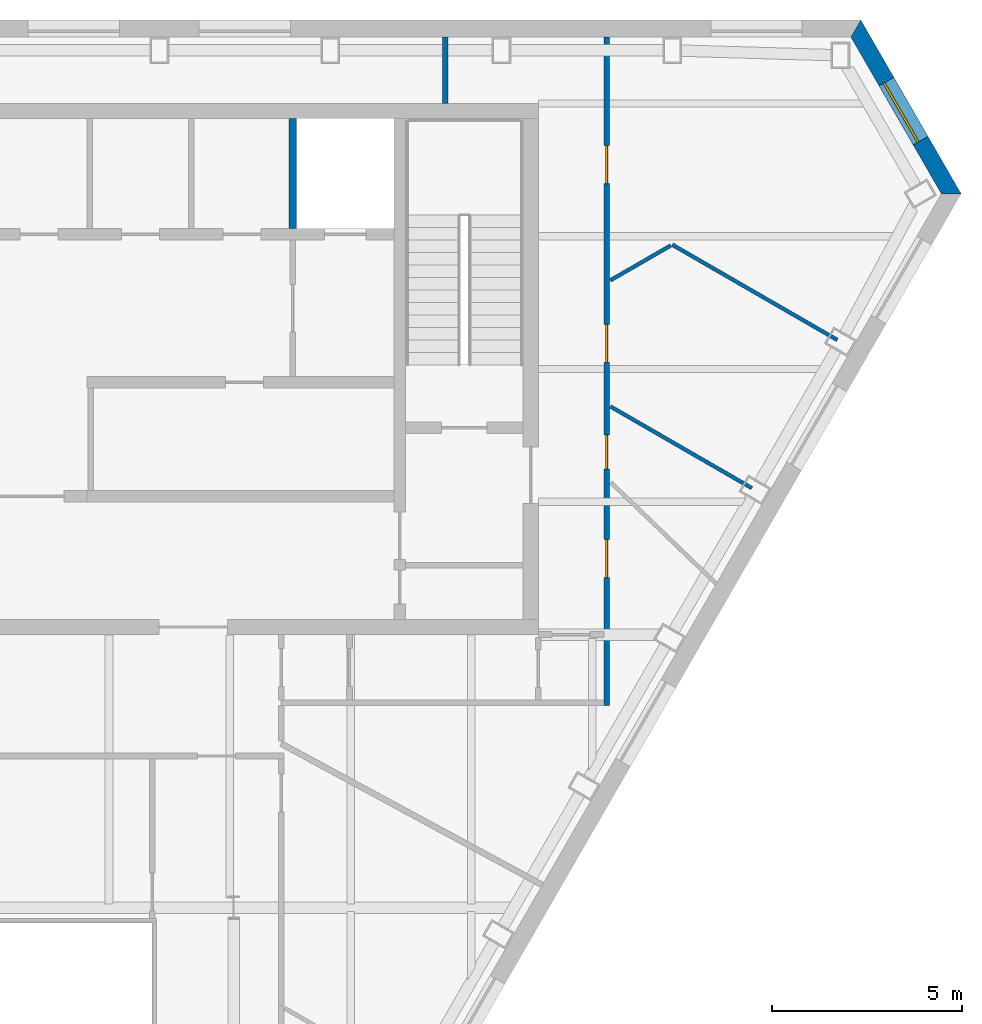
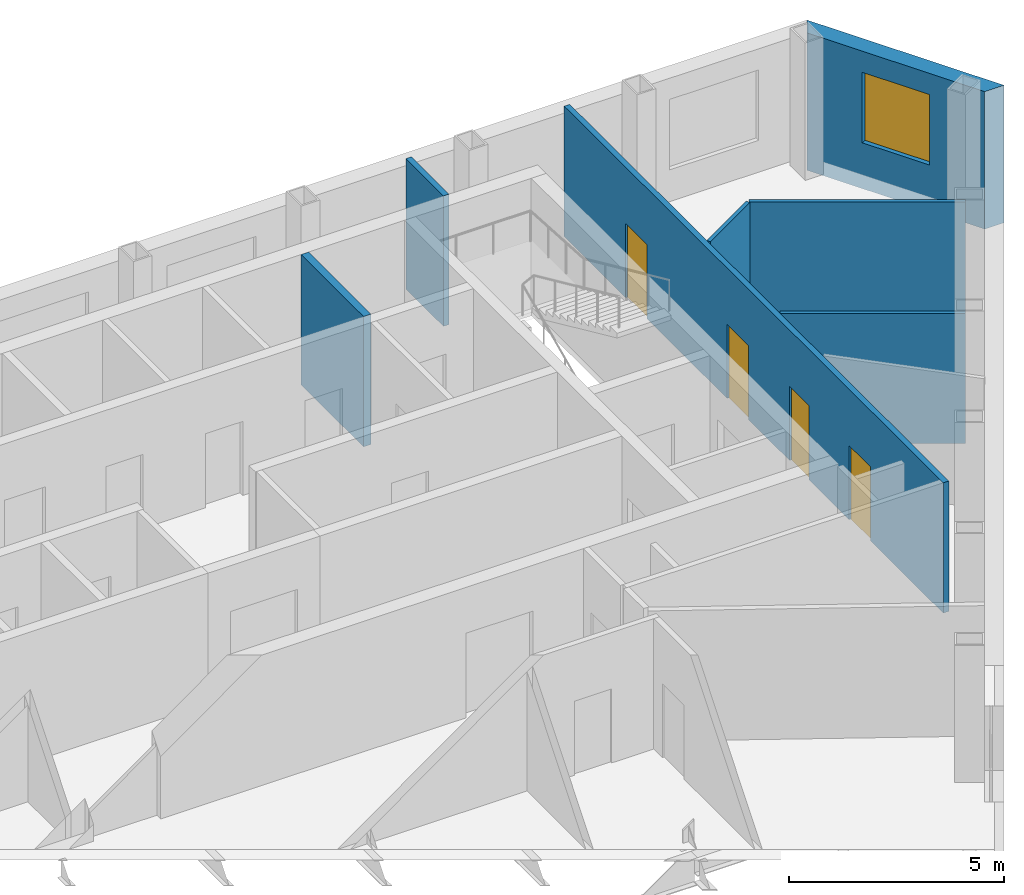
# One storey, part 7 of 10: 7 walls, 4 doors, 1 window, 5 openings.
"""IFC4 building model written with IfcOpenShell, lengths in metres."""

from ifc_helpers import new_model, si_unit, direction, frame, frame_2d, origin, place, context, subcontext, project, spatial, polyline, rectangle, outline, extrude, material, layer, layer_set, type_object, element, fill, save


model = new_model("IFC4")

# Units and contexts
model_context = context("Model", 3, precision=1e-05, world=origin(), true_north=direction((0.0, 1.0)))
body_context = subcontext(model_context, "Body", "Model", "MODEL_VIEW")
ifc_project = project(units=[si_unit("LENGTHUNIT", "METRE"), si_unit("AREAUNIT", "SQUARE_METRE"), si_unit("VOLUMEUNIT", "CUBIC_METRE"), si_unit("PLANEANGLEUNIT", "RADIAN"), si_unit("MASSUNIT", "GRAM", prefix="KILO")], contexts=[model_context])

# Site, building, storey
site_placement = place(None, origin())
site = spatial("IfcSite", under=ifc_project, at=site_placement, CompositionType="ELEMENT")
building_placement = place(site_placement, origin())
building = spatial("IfcBuilding", under=site, at=building_placement, Name="Njiva Tower", CompositionType="ELEMENT")
storey_placement = place(building_placement, frame((0.0, 0.0, 284.4)))
storey = spatial("IfcBuildingStorey", under=building, at=storey_placement, Name="L65", CompositionType="ELEMENT", Elevation=284.4)

# Walls
ifc_material_1 = material(Name="Gypsum board on steel studs", Category="gypsum")
ifc_layer_1 = layer(ifc_material_1, 0.1)
ifc_layer_set_1 = layer_set([ifc_layer_1], Name="Gypsum board on steel studs")
wall_type_1 = type_object("IfcWallType", Name="WT20 Gypsum partition 100", PredefinedType="PARTITIONING", material=ifc_layer_set_1)
wall_1_placement = place(storey_placement, frame((16.4, 13.338, 0.0), z_axis=(0.0, 0.0, 1.0), x_axis=(0.866294275703, 0.499534010738, 0.0)))
element("IfcWall", 1, at=wall_1_placement, inside=storey, type_object=wall_type_1, Name="Partition S21-P033", PredefinedType="PARTITIONING", context=body_context, shape_type="SweptSolid", body=[
    extrude(rectangle(XDim=1.8377, YDim=0.1, at=frame_2d((0.9188, 0.0))), origin(), (0.0, 0.0, 1.0), 3.7),
])
wall_2_placement = place(storey_placement, frame((16.4, 10.013, 0.0), z_axis=(0.0, 0.0, 1.0), x_axis=(0.866104329613, -0.499863271531, 0.0)))
element("IfcWall", 2, at=wall_2_placement, inside=storey, type_object=wall_type_1, Name="Partition S21-P034", PredefinedType="PARTITIONING", context=body_context, shape_type="SweptSolid", body=[
    extrude(rectangle(XDim=4.3032, YDim=0.1, at=frame_2d((2.1516, 0.0))), origin(), (0.0, 0.0, 1.0), 3.7),
])
wall_3_placement = place(storey_placement, frame((18.03, 14.277, 0.0), z_axis=(0.0, 0.0, 1.0), x_axis=(0.866115983499, -0.499843078503, 0.0)))
element("IfcWall", 3, at=wall_3_placement, inside=storey, type_object=wall_type_1, Name="Partition S21-P036", PredefinedType="PARTITIONING", context=body_context, shape_type="SweptSolid", body=[
    extrude(rectangle(XDim=5.0236, YDim=0.1, at=frame_2d((2.5118, 0.0))), origin(), (0.0, 0.0, 1.0), 3.7),
])
ifc_layer_2 = layer(ifc_material_1, 0.15)
ifc_layer_set_2 = layer_set([ifc_layer_2], Name="Gypsum board on steel studs")
wall_type_2 = type_object("IfcWallType", Name="WT21 Compartment wall 150", PredefinedType="PARTITIONING", material=ifc_layer_set_2)
wall_4_placement = place(storey_placement, frame((12.05, 18.0, 0.0), z_axis=(0.0, 0.0, 1.0), x_axis=(0.0, 1.0, 0.0)))
element("IfcWall", 4, at=wall_4_placement, inside=storey, type_object=wall_type_2, Name="Partition S21-P029", PredefinedType="PARTITIONING", context=body_context, shape_type="SweptSolid", body=[
    extrude(rectangle(XDim=1.75, YDim=0.15, at=frame_2d((0.875, 0.0))), origin(), (0.0, 0.0, 1.0), 3.7),
])

# Wall, openings, doors
wall_5_placement = place(storey_placement, frame((16.3, 2.125, 0.0), z_axis=(0.0, 0.0, 1.0), x_axis=(0.0, 1.0, 0.0)))
wall_5 = element("IfcWall", 5, at=wall_5_placement, inside=storey, type_object=wall_type_2, Name="Partition S21-P032", PredefinedType="PARTITIONING", context=body_context, shape_type="SweptSolid", body=[
    extrude(rectangle(XDim=17.623, YDim=0.15, at=frame_2d((8.8115, 0.0))), origin(), (0.0, 0.0, 1.0), 3.7),
])
opening_1_placement = place(wall_5_placement, frame((3.377, 0.0, 0.0)))
opening_1 = element("IfcOpeningElement", 6, at=opening_1_placement, cuts=wall_5, Name="Opening S21-D018", PredefinedType="OPENING", context=body_context, shape_type="SweptSolid", body=[
    extrude(rectangle(XDim=1.0, YDim=2.1, at=frame_2d((0.5, 1.05))), frame((0.0, 0.085, 0.0), z_axis=(0.0, -1.0, 0.0), x_axis=(1.0, 0.0, 0.0)), (0.0, 0.0, 1.0), 0.17),
])
opening_2_placement = place(wall_5_placement, frame((6.242, 0.0, 0.0)))
opening_2 = element("IfcOpeningElement", 7, at=opening_2_placement, cuts=wall_5, Name="Opening S21-D019", PredefinedType="OPENING", context=body_context, shape_type="SweptSolid", body=[
    extrude(rectangle(XDim=0.9, YDim=2.1, at=frame_2d((0.45, 1.05))), frame((0.0, 0.085, 0.0), z_axis=(0.0, -1.0, 0.0), x_axis=(1.0, 0.0, 0.0)), (0.0, 0.0, 1.0), 0.17),
])
opening_3_placement = place(wall_5_placement, frame((9.05, 0.0, 0.0)))
opening_3 = element("IfcOpeningElement", 8, at=opening_3_placement, cuts=wall_5, Name="Opening S21-D020", PredefinedType="OPENING", context=body_context, shape_type="SweptSolid", body=[
    extrude(rectangle(XDim=1.0, YDim=2.1, at=frame_2d((0.5, 1.05))), frame((0.0, 0.085, 0.0), z_axis=(0.0, -1.0, 0.0), x_axis=(1.0, 0.0, 0.0)), (0.0, 0.0, 1.0), 0.17),
])
opening_4_placement = place(wall_5_placement, frame((13.764, 0.0, 0.0)))
opening_4 = element("IfcOpeningElement", 9, at=opening_4_placement, cuts=wall_5, Name="Opening S21-D021", PredefinedType="OPENING", context=body_context, shape_type="SweptSolid", body=[
    extrude(rectangle(XDim=1.0, YDim=2.1, at=frame_2d((0.5, 1.05))), frame((0.0, 0.085, 0.0), z_axis=(0.0, -1.0, 0.0), x_axis=(1.0, 0.0, 0.0)), (0.0, 0.0, 1.0), 0.17),
])
ifc_material_2 = material(Name="Steel fire door set", Category="steel")
door_type_1 = type_object("IfcDoorType", Name="D36 Fire door 900x2100", OperationType="SINGLE_SWING_LEFT", PredefinedType="DOOR", material=ifc_material_2)
door_1_placement = place(opening_2_placement, origin())
door_1 = element("IfcDoor", 10, at=door_1_placement, inside=storey, type_object=door_type_1, Name="Door S21-D019", OperationType="SINGLE_SWING_LEFT", OverallHeight=2.1, OverallWidth=0.9, PredefinedType="DOOR", context=body_context, shape_type="SweptSolid", body=[
    extrude(rectangle(XDim=0.9, YDim=2.1, at=frame_2d((0.45, 1.05))), frame((0.0, 0.025, 0.0), z_axis=(0.0, -1.0, 0.0), x_axis=(1.0, 0.0, 0.0)), (0.0, 0.0, 1.0), 0.05),
])
fill(opening_2, door_1)
door_type_2 = type_object("IfcDoorType", Name="D37 Fire door 1000x2100", OperationType="SINGLE_SWING_LEFT", PredefinedType="DOOR", material=ifc_material_2)
door_2_placement = place(opening_1_placement, origin())
door_2 = element("IfcDoor", 11, at=door_2_placement, inside=storey, type_object=door_type_2, Name="Door S21-D018", OperationType="SINGLE_SWING_LEFT", OverallHeight=2.1, OverallWidth=1.0, PredefinedType="DOOR", context=body_context, shape_type="SweptSolid", body=[
    extrude(rectangle(XDim=1.0, YDim=2.1, at=frame_2d((0.5, 1.05))), frame((0.0, 0.025, 0.0), z_axis=(0.0, -1.0, 0.0), x_axis=(1.0, 0.0, 0.0)), (0.0, 0.0, 1.0), 0.05),
])
fill(opening_1, door_2)
door_3_placement = place(opening_3_placement, origin())
door_3 = element("IfcDoor", 12, at=door_3_placement, inside=storey, type_object=door_type_2, Name="Door S21-D020", OperationType="SINGLE_SWING_RIGHT", OverallHeight=2.1, OverallWidth=1.0, PredefinedType="DOOR", context=body_context, shape_type="SweptSolid", body=[
    extrude(rectangle(XDim=1.0, YDim=2.1, at=frame_2d((0.5, 1.05))), frame((0.0, 0.025, 0.0), z_axis=(0.0, -1.0, 0.0), x_axis=(1.0, 0.0, 0.0)), (0.0, 0.0, 1.0), 0.05),
])
fill(opening_3, door_3)
door_4_placement = place(opening_4_placement, origin())
door_4 = element("IfcDoor", 13, at=door_4_placement, inside=storey, type_object=door_type_2, Name="Door S21-D021", OperationType="SINGLE_SWING_RIGHT", OverallHeight=2.1, OverallWidth=1.0, PredefinedType="DOOR", context=body_context, shape_type="SweptSolid", body=[
    extrude(rectangle(XDim=1.0, YDim=2.1, at=frame_2d((0.5, 1.05))), frame((0.0, 0.025, 0.0), z_axis=(0.0, -1.0, 0.0), x_axis=(1.0, 0.0, 0.0)), (0.0, 0.0, 1.0), 0.05),
])
fill(opening_4, door_4)

# Wall
ifc_material_3 = material(Name="Concrete C40/50", Category="concrete")
ifc_layer_3 = layer(ifc_material_3, 0.2)
ifc_layer_set_3 = layer_set([ifc_layer_3], Name="Concrete C40/50")
wall_type_3 = type_object("IfcWallType", Name="WT6 Lift shaft wall 200", PredefinedType="SHEAR", material=ifc_layer_set_3)
wall_6_placement = place(storey_placement, frame((8.025, 14.7, 0.0), z_axis=(0.0, 0.0, 1.0), x_axis=(0.0, 1.0, 0.0)))
element("IfcWall", 14, at=wall_6_placement, inside=storey, type_object=wall_type_3, Name="Shaft wall CN7", PredefinedType="SHEAR", context=body_context, shape_type="SweptSolid", body=[
    extrude(rectangle(XDim=2.9, YDim=0.2, at=frame_2d((1.45, 0.0))), origin(), (0.0, 0.0, 1.0), 3.7),
])

# Wall, opening, window
ifc_material_4 = material(Name="Brick masonry, buff", Category="masonry")
ifc_layer_4 = layer(ifc_material_4, 0.45)
ifc_layer_set_4 = layer_set([ifc_layer_4], Name="Brick masonry, buff")
wall_type_4 = type_object("IfcWallType", Name="WT94 Brick pier and spandrel wall 450, buff", PredefinedType="SOLIDWALL", material=ifc_layer_set_4)
wall_7_placement = place(storey_placement, frame((25.3852, 15.6187, -0.4), z_axis=(0.0, 0.0, 1.0), x_axis=(-0.49999836324, 0.866026348766, 0.0)))
wall_7 = element("IfcWall", 15, at=wall_7_placement, inside=storey, type_object=wall_type_4, Name="Facade wall NE", PredefinedType="SOLIDWALL", context=body_context, shape_type="SweptSolid", body=[
    extrude(outline(polyline([(-0.1299, -0.225), (5.1601, -0.225), (4.9003, 0.225), (0.1299, 0.225), (-0.1299, -0.225)])), origin(), (0.0, 0.0, 1.0), 3.9),
])
opening_5_placement = place(wall_7_placement, frame((1.6151, 0.0, 1.3)))
opening_5 = element("IfcOpeningElement", 16, at=opening_5_placement, cuts=wall_7, Name="Opening S21-W28", PredefinedType="OPENING", context=body_context, shape_type="SweptSolid", body=[
    extrude(rectangle(XDim=1.8, YDim=2.0, at=frame_2d((0.9, 1.0))), frame((0.0, 0.235, 0.0), z_axis=(0.0, -1.0, 0.0), x_axis=(1.0, 0.0, 0.0)), (0.0, 0.0, 1.0), 0.47),
])
ifc_material_5 = material(Name="Clear glazing in aluminium frame", Category="aluminium")
window_type = type_object("IfcWindowType", Name="W94 Deep-set window 1800x2000", PartitioningType="SINGLE_PANEL", PredefinedType="WINDOW", material=ifc_material_5)
window_placement = place(opening_5_placement, origin())
window = element("IfcWindow", 17, at=window_placement, inside=storey, type_object=window_type, Name="Window", OverallHeight=2.0, OverallWidth=1.8, PartitioningType="SINGLE_PANEL", PredefinedType="WINDOW", context=body_context, shape_type="SweptSolid", body=[
    extrude(rectangle(XDim=1.8, YDim=2.0, at=frame_2d((0.9, 1.0))), frame((0.0, 0.105, 0.0), z_axis=(0.0, -1.0, 0.0), x_axis=(1.0, 0.0, 0.0)), (0.0, 0.0, 1.0), 0.06),
])
fill(opening_5, window)

save(model, "model.ifc")
